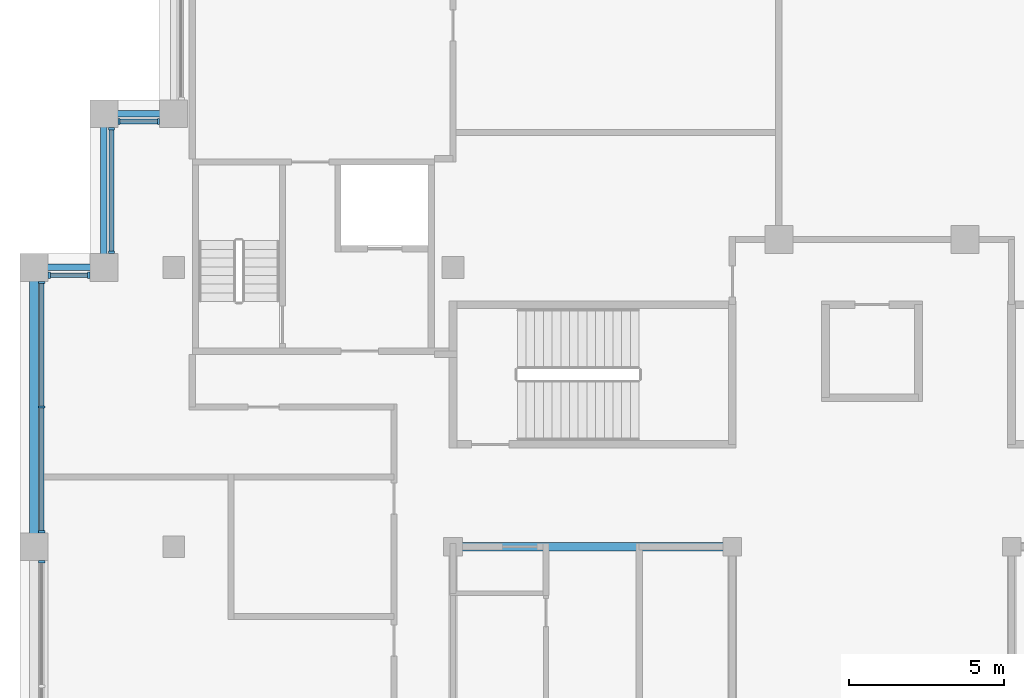
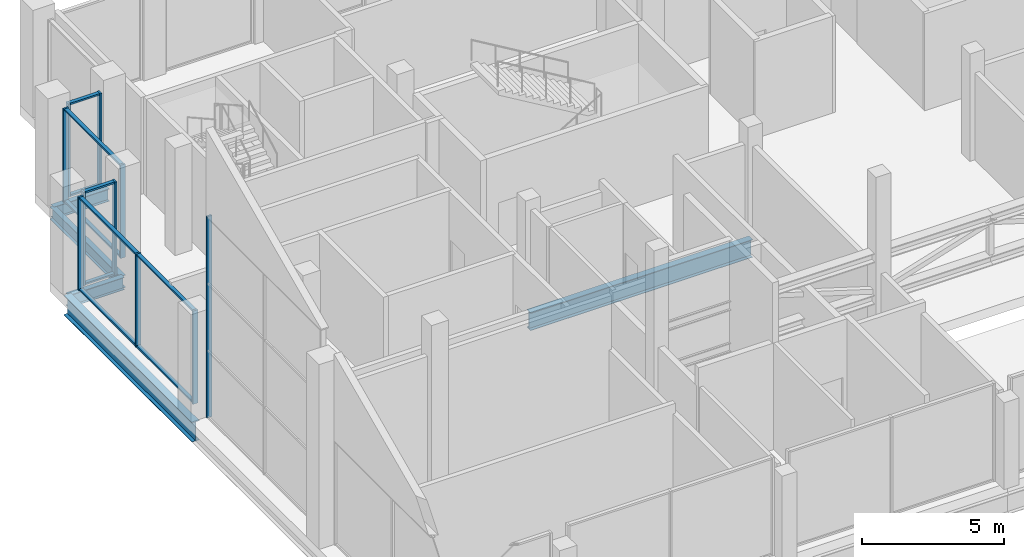
# One storey, part 4 of 14: 20 members, 5 beams, 5 elements without a shape of their own.
"""IFC4 building model written with IfcOpenShell, lengths in metres."""

from ifc_helpers import new_model, si_unit, direction, frame, origin, origin_2d, place, context, subcontext, project, spatial, rectangle, i_section, extrude, material, layer, layer_set, material_profile, profile_set, type_object, element, aggregate, save


model = new_model("IFC4")

# Units and contexts
model_context = context("Model", 3, precision=1e-05, world=origin(), true_north=direction((0.0, 1.0)))
body_context = subcontext(model_context, "Body", "Model", "MODEL_VIEW")
ifc_project = project(units=[si_unit("LENGTHUNIT", "METRE"), si_unit("AREAUNIT", "SQUARE_METRE"), si_unit("VOLUMEUNIT", "CUBIC_METRE"), si_unit("PLANEANGLEUNIT", "RADIAN"), si_unit("MASSUNIT", "GRAM", prefix="KILO")], contexts=[model_context])

# Site, building, storey
site_placement = place(None, origin())
site = spatial("IfcSite", under=ifc_project, at=site_placement, CompositionType="ELEMENT")
building_placement = place(site_placement, origin())
building = spatial("IfcBuilding", under=site, at=building_placement, Name="Corbelhall Arena Tower", CompositionType="ELEMENT")
storey_placement = place(building_placement, frame((0.0, 0.0, 376.0)))
storey = spatial("IfcBuildingStorey", under=building, at=storey_placement, Name="L81", CompositionType="ELEMENT", Elevation=376.0)

# Curtain wall, members
ifc_material_1 = material(Name="Aluminium black anodised", Category="aluminium")
ifc_layer = layer(ifc_material_1, 0.179931640625)
ifc_layer_set = layer_set([ifc_layer], Name="EV-CW3 Crown glazing")
curtain_wall_type = type_object("IfcCurtainWallType", Name="EV-CW3 Crown glazing", PredefinedType="NOTDEFINED", material=ifc_layer_set)
curtain_wall_1_placement = place(storey_placement, origin())
curtain_wall_1 = element("IfcCurtainWall", 1, at=curtain_wall_1_placement, inside=storey, type_object=curtain_wall_type, Name="Curtain wall CW3", PredefinedType="NOTDEFINED")
ifc_material_profile_1 = material_profile(ifc_material_1, rectangle(XDim=0.199951171875, YDim=0.074951171875, at=origin_2d()))
ifc_profile_set_1 = profile_set([ifc_material_profile_1], Name="Aluminium black anodised")
member_type_1 = type_object("IfcMemberType", Name="EV-CW3-MULLION", PredefinedType="MULLION", material=ifc_profile_set_1)
member_1_placement = place(storey_placement, frame((-24.5, 22.46240234375, 0.0), z_axis=(0.0, 0.0, 1.0), x_axis=(1.0, 0.0, 0.0)))
member_1 = element("IfcMember", 2, at=member_1_placement, type_object=member_type_1, Name="CW3 mullion 1", PredefinedType="MULLION", context=body_context, shape_type="SweptSolid", body=[
    extrude(rectangle(XDim=0.199951171875, YDim=0.074951171875, at=origin_2d()), origin(), (0.0, 0.0, 1.0), 3.99951171875),
])
member_2_placement = place(storey_placement, frame((-24.5, 18.487548828125, 0.0), z_axis=(0.0, 0.0, 1.0), x_axis=(1.0, 0.0, 0.0)))
member_2 = element("IfcMember", 3, at=member_2_placement, type_object=member_type_1, Name="CW3 mullion 2", PredefinedType="MULLION", context=body_context, shape_type="SweptSolid", body=[
    extrude(rectangle(XDim=0.199951171875, YDim=0.074951171875, at=origin_2d()), origin(), (0.0, 0.0, 1.0), 3.99951171875),
])

curtain_wall_2_placement = place(storey_placement, origin())
curtain_wall_2 = element("IfcCurtainWall", 4, at=curtain_wall_2_placement, inside=storey, type_object=curtain_wall_type, Name="Curtain wall CW3B", PredefinedType="NOTDEFINED")
member_3_placement = place(storey_placement, frame((-25.237548828125, 17.75, 0.0), z_axis=(0.0, 0.0, 1.0), x_axis=(0.0, -1.0, 0.0)))
member_3 = element("IfcMember", 5, at=member_3_placement, type_object=member_type_1, Name="CW3B mullion 1", PredefinedType="MULLION", context=body_context, shape_type="SweptSolid", body=[
    extrude(rectangle(XDim=0.199951171875, YDim=0.074951171875, at=origin_2d()), origin(), (0.0, 0.0, 1.0), 3.99951171875),
])
member_4_placement = place(storey_placement, frame((-26.512451171875, 17.75, 0.0), z_axis=(0.0, 0.0, 1.0), x_axis=(0.0, -1.0, 0.0)))
member_4 = element("IfcMember", 6, at=member_4_placement, type_object=member_type_1, Name="CW3B mullion 2", PredefinedType="MULLION", context=body_context, shape_type="SweptSolid", body=[
    extrude(rectangle(XDim=0.199951171875, YDim=0.074951171875, at=origin_2d()), origin(), (0.0, 0.0, 1.0), 3.99951171875),
])

curtain_wall_3_placement = place(storey_placement, origin())
curtain_wall_3 = element("IfcCurtainWall", 7, at=curtain_wall_3_placement, inside=storey, type_object=curtain_wall_type, Name="Curtain wall CW3", PredefinedType="NOTDEFINED")
member_5_placement = place(storey_placement, frame((-26.75, 17.512451171875, 0.0), z_axis=(0.0, 0.0, 1.0), x_axis=(1.0, 0.0, 0.0)))
member_5 = element("IfcMember", 8, at=member_5_placement, type_object=member_type_1, Name="CW3 mullion 1", PredefinedType="MULLION", context=body_context, shape_type="SweptSolid", body=[
    extrude(rectangle(XDim=0.199951171875, YDim=0.074951171875, at=origin_2d()), origin(), (0.0, 0.0, 1.0), 3.99951171875),
])
member_6_placement = place(storey_placement, frame((-26.75, 13.5, 0.0), z_axis=(0.0, 0.0, 1.0), x_axis=(1.0, 0.0, 0.0)))
member_6 = element("IfcMember", 9, at=member_6_placement, type_object=member_type_1, Name="CW3 mullion 2", PredefinedType="MULLION", context=body_context, shape_type="SweptSolid", body=[
    extrude(rectangle(XDim=0.199951171875, YDim=0.074951171875, at=origin_2d()), origin(), (0.0, 0.0, 1.0), 3.99951171875),
])
member_7_placement = place(storey_placement, frame((-26.75, 9.487548828125, 0.0), z_axis=(0.0, 0.0, 1.0), x_axis=(1.0, 0.0, 0.0)))
member_7 = element("IfcMember", 10, at=member_7_placement, type_object=member_type_1, Name="CW3 mullion 3", PredefinedType="MULLION", context=body_context, shape_type="SweptSolid", body=[
    extrude(rectangle(XDim=0.199951171875, YDim=0.074951171875, at=origin_2d()), origin(), (0.0, 0.0, 1.0), 3.99951171875),
])

# Curtain wall, member
curtain_wall_4_placement = place(storey_placement, origin())
curtain_wall_4 = element("IfcCurtainWall", 11, at=curtain_wall_4_placement, inside=storey, type_object=curtain_wall_type, Name="Curtain wall CW3G", PredefinedType="NOTDEFINED")
member_8_placement = place(storey_placement, frame((-26.75, 8.512451171875, 0.0), z_axis=(0.0, 0.0, 1.0), x_axis=(1.0, 0.0, 0.0)))
member_8 = element("IfcMember", 12, at=member_8_placement, type_object=member_type_1, Name="CW3G mullion 1", PredefinedType="MULLION", context=body_context, shape_type="SweptSolid", body=[
    extrude(rectangle(XDim=0.199951171875, YDim=0.074951171875, at=origin_2d()), origin(), (0.0, 0.0, 1.0), 8.633056640625),
])
aggregate(curtain_wall_4, [member_8])

# Curtain wall, members
curtain_wall_5_placement = place(storey_placement, origin())
curtain_wall_5 = element("IfcCurtainWall", 13, at=curtain_wall_5_placement, inside=storey, type_object=curtain_wall_type, Name="Curtain wall CW3B", PredefinedType="NOTDEFINED")
member_9_placement = place(storey_placement, frame((-22.987548828125, 22.699951171875, 0.0), z_axis=(0.0, 0.0, 1.0), x_axis=(0.0, -1.0, 0.0)))
member_9 = element("IfcMember", 14, at=member_9_placement, type_object=member_type_1, Name="CW3B mullion 1", PredefinedType="MULLION", context=body_context, shape_type="SweptSolid", body=[
    extrude(rectangle(XDim=0.199951171875, YDim=0.074951171875, at=origin_2d()), origin(), (0.0, 0.0, 1.0), 3.99951171875),
])
member_10_placement = place(storey_placement, frame((-24.262451171875, 22.699951171875, 0.0), z_axis=(0.0, 0.0, 1.0), x_axis=(0.0, -1.0, 0.0)))
member_10 = element("IfcMember", 15, at=member_10_placement, type_object=member_type_1, Name="CW3B mullion 2", PredefinedType="MULLION", context=body_context, shape_type="SweptSolid", body=[
    extrude(rectangle(XDim=0.199951171875, YDim=0.074951171875, at=origin_2d()), origin(), (0.0, 0.0, 1.0), 3.99951171875),
])

# Member
ifc_material_profile_2 = material_profile(ifc_material_1, rectangle(XDim=0.14990234375, YDim=0.074951171875, at=origin_2d()))
ifc_profile_set_2 = profile_set([ifc_material_profile_2], Name="Aluminium black anodised")
member_type_2 = type_object("IfcMemberType", Name="EV-CW3-TRANSOM", PredefinedType="USERDEFINED", material=ifc_profile_set_2)
member_11_placement = place(storey_placement, frame((-24.5, 22.425048828125, 0.03759765625), z_axis=(0.0, -1.0, 0.0), x_axis=(1.0, 0.0, 0.0)))
member_11 = element("IfcMember", 16, at=member_11_placement, type_object=member_type_2, Name="CW3 transom 1.1", ObjectType="transom", PredefinedType="USERDEFINED", context=body_context, shape_type="SweptSolid", body=[
    extrude(rectangle(XDim=0.14990234375, YDim=0.074951171875, at=origin_2d()), origin(), (0.0, 0.0, 1.0), 3.900146484375),
])

member_12_placement = place(storey_placement, frame((-24.5, 22.425048828125, 3.962158203125), z_axis=(0.0, -1.0, 0.0), x_axis=(1.0, 0.0, 0.0)))
member_12 = element("IfcMember", 17, at=member_12_placement, type_object=member_type_2, Name="CW3 transom 1.2", ObjectType="transom", PredefinedType="USERDEFINED", context=body_context, shape_type="SweptSolid", body=[
    extrude(rectangle(XDim=0.14990234375, YDim=0.074951171875, at=origin_2d()), origin(), (0.0, 0.0, 1.0), 3.900146484375),
])

aggregate(curtain_wall_1, [member_1, member_2, member_11, member_12])

member_13_placement = place(storey_placement, frame((-25.27490234375, 17.75, 0.03759765625), z_axis=(-1.0, 0.0, 0.0), x_axis=(0.0, -1.0, 0.0)))
member_13 = element("IfcMember", 18, at=member_13_placement, type_object=member_type_2, Name="CW3B transom 1.1", ObjectType="transom", PredefinedType="USERDEFINED", context=body_context, shape_type="SweptSolid", body=[
    extrude(rectangle(XDim=0.14990234375, YDim=0.074951171875, at=origin_2d()), origin(), (0.0, 0.0, 1.0), 1.2001953125),
])

member_14_placement = place(storey_placement, frame((-25.27490234375, 17.75, 3.962158203125), z_axis=(-1.0, 0.0, 0.0), x_axis=(0.0, -1.0, 0.0)))
member_14 = element("IfcMember", 19, at=member_14_placement, type_object=member_type_2, Name="CW3B transom 1.2", ObjectType="transom", PredefinedType="USERDEFINED", context=body_context, shape_type="SweptSolid", body=[
    extrude(rectangle(XDim=0.14990234375, YDim=0.074951171875, at=origin_2d()), origin(), (0.0, 0.0, 1.0), 1.2001953125),
])

aggregate(curtain_wall_2, [member_3, member_4, member_13, member_14])

member_15_placement = place(storey_placement, frame((-26.75, 17.47509765625, 0.03759765625), z_axis=(0.0, -1.0, 0.0), x_axis=(1.0, 0.0, 0.0)))
member_15 = element("IfcMember", 20, at=member_15_placement, type_object=member_type_2, Name="CW3 transom 1.1", ObjectType="transom", PredefinedType="USERDEFINED", context=body_context, shape_type="SweptSolid", body=[
    extrude(rectangle(XDim=0.14990234375, YDim=0.074951171875, at=origin_2d()), origin(), (0.0, 0.0, 1.0), 3.9375),
])

member_16_placement = place(storey_placement, frame((-26.75, 17.47509765625, 3.962158203125), z_axis=(0.0, -1.0, 0.0), x_axis=(1.0, 0.0, 0.0)))
member_16 = element("IfcMember", 21, at=member_16_placement, type_object=member_type_2, Name="CW3 transom 1.2", ObjectType="transom", PredefinedType="USERDEFINED", context=body_context, shape_type="SweptSolid", body=[
    extrude(rectangle(XDim=0.14990234375, YDim=0.074951171875, at=origin_2d()), origin(), (0.0, 0.0, 1.0), 3.9375),
])

member_17_placement = place(storey_placement, frame((-26.75, 13.46240234375, 0.03759765625), z_axis=(0.0, -1.0, 0.0), x_axis=(1.0, 0.0, 0.0)))
member_17 = element("IfcMember", 22, at=member_17_placement, type_object=member_type_2, Name="CW3 transom 2.1", ObjectType="transom", PredefinedType="USERDEFINED", context=body_context, shape_type="SweptSolid", body=[
    extrude(rectangle(XDim=0.14990234375, YDim=0.074951171875, at=origin_2d()), origin(), (0.0, 0.0, 1.0), 3.9375),
])

member_18_placement = place(storey_placement, frame((-26.75, 13.46240234375, 3.962158203125), z_axis=(0.0, -1.0, 0.0), x_axis=(1.0, 0.0, 0.0)))
member_18 = element("IfcMember", 23, at=member_18_placement, type_object=member_type_2, Name="CW3 transom 2.2", ObjectType="transom", PredefinedType="USERDEFINED", context=body_context, shape_type="SweptSolid", body=[
    extrude(rectangle(XDim=0.14990234375, YDim=0.074951171875, at=origin_2d()), origin(), (0.0, 0.0, 1.0), 3.9375),
])

aggregate(curtain_wall_3, [member_5, member_6, member_7, member_15, member_16, member_17, member_18])

member_19_placement = place(storey_placement, frame((-23.02490234375, 22.699951171875, 0.03759765625), z_axis=(-1.0, 0.0, 0.0), x_axis=(0.0, -1.0, 0.0)))
member_19 = element("IfcMember", 24, at=member_19_placement, type_object=member_type_2, Name="CW3B transom 1.1", ObjectType="transom", PredefinedType="USERDEFINED", context=body_context, shape_type="SweptSolid", body=[
    extrude(rectangle(XDim=0.14990234375, YDim=0.074951171875, at=origin_2d()), origin(), (0.0, 0.0, 1.0), 1.2001953125),
])

member_20_placement = place(storey_placement, frame((-23.02490234375, 22.699951171875, 3.962158203125), z_axis=(-1.0, 0.0, 0.0), x_axis=(0.0, -1.0, 0.0)))
member_20 = element("IfcMember", 25, at=member_20_placement, type_object=member_type_2, Name="CW3B transom 1.2", ObjectType="transom", PredefinedType="USERDEFINED", context=body_context, shape_type="SweptSolid", body=[
    extrude(rectangle(XDim=0.14990234375, YDim=0.074951171875, at=origin_2d()), origin(), (0.0, 0.0, 1.0), 1.2001953125),
])

aggregate(curtain_wall_5, [member_9, member_10, member_19, member_20])

# Beams
ifc_material_2 = material(Name="Steel ASTM A992 Gr50", Category="steel")
ifc_material_profile_3 = material_profile(ifc_material_2, i_section(OverallWidth=0.2666015625, OverallDepth=0.761962890625, WebThickness=0.014404296875, FlangeThickness=0.021484375, at=origin_2d()))
ifc_profile_set_3 = profile_set([ifc_material_profile_3], Name="Steel ASTM A992 Gr50")
beam_type_1 = type_object("IfcBeamType", Name="ST-BEAM-W30x116", PredefinedType="BEAM", material=ifc_profile_set_3)
beam_1_placement = place(storey_placement, frame((-13.5, 9.0, -0.781494140625), z_axis=(1.0, 0.0, 0.0), x_axis=(0.0, 1.0, 0.0)))
element("IfcBeam", 26, at=beam_1_placement, inside=storey, type_object=beam_type_1, Name="Beam CEW 5", PredefinedType="BEAM", context=body_context, shape_type="SweptSolid", body=[
    extrude(i_section(OverallWidth=0.2666015625, OverallDepth=0.761962890625, WebThickness=0.014404296875, FlangeThickness=0.021484375, at=origin_2d()), origin(), (0.0, 0.0, 1.0), 9.0),
])
ifc_material_profile_4 = material_profile(ifc_material_2, i_section(OverallWidth=0.2099609375, OverallDepth=0.535888671875, WebThickness=0.010986328125, FlangeThickness=0.017333984375, at=origin_2d()))
ifc_profile_set_4 = profile_set([ifc_material_profile_4], Name="Steel ASTM A992 Gr50")
beam_type_2 = type_object("IfcBeamType", Name="ST-SPANDREL-W21x68", PredefinedType="SPANDREL", material=ifc_profile_set_4)
for number, where, z_axis, x_axis, name in (
    (27, (-27.0, 18.0, -0.66845703125), (1.0, 0.0, 0.0), (0.0, 1.0, 0.0), "Beam SP 23"),
    (28, (-24.75, 22.949951171875, -0.66845703125), (1.0, 0.0, 0.0), (0.0, 1.0, 0.0), "Beam SP 29"),
):
    element("IfcBeam", number, at=place(storey_placement, frame(where, z_axis=z_axis, x_axis=x_axis)), inside=storey, type_object=beam_type_2, Name=name, PredefinedType="SPANDREL", context=body_context, shape_type="SweptSolid", body=[
        extrude(i_section(OverallWidth=0.2099609375, OverallDepth=0.535888671875, WebThickness=0.010986328125, FlangeThickness=0.017333984375, at=origin_2d()), origin(), (0.0, 0.0, 1.0), 2.25),
    ])
beam_2_placement = place(storey_placement, frame((-24.75, 18.0, -0.66845703125), z_axis=(0.0, 1.0, 0.0), x_axis=(-1.0, 0.0, 0.0)))
element("IfcBeam", 29, at=beam_2_placement, inside=storey, type_object=beam_type_2, Name="Beam SP 30", PredefinedType="SPANDREL", context=body_context, shape_type="SweptSolid", body=[
    extrude(i_section(OverallWidth=0.2099609375, OverallDepth=0.535888671875, WebThickness=0.010986328125, FlangeThickness=0.017333984375, at=origin_2d()), origin(), (0.0, 0.0, 1.0), 4.949951171875),
])
ifc_material_profile_5 = material_profile(ifc_material_2, i_section(OverallWidth=0.2919921875, OverallDepth=0.845703125, WebThickness=0.015380859375, FlangeThickness=0.0244140625, at=origin_2d()))
ifc_profile_set_5 = profile_set([ifc_material_profile_5], Name="Steel ASTM A992 Gr50")
beam_type_3 = type_object("IfcBeamType", Name="ST-SPANDREL-W33x141", PredefinedType="SPANDREL", material=ifc_profile_set_5)
beam_3_placement = place(storey_placement, frame((-27.0, 9.0, -0.8232421875), z_axis=(0.0, 1.0, 0.0), x_axis=(-1.0, 0.0, 0.0)))
element("IfcBeam", 30, at=beam_3_placement, inside=storey, type_object=beam_type_3, Name="Beam SP 22", PredefinedType="SPANDREL", context=body_context, shape_type="SweptSolid", body=[
    extrude(i_section(OverallWidth=0.2919921875, OverallDepth=0.845703125, WebThickness=0.015380859375, FlangeThickness=0.0244140625, at=origin_2d()), origin(), (0.0, 0.0, 1.0), 9.0),
])

save(model, "model.ifc")
